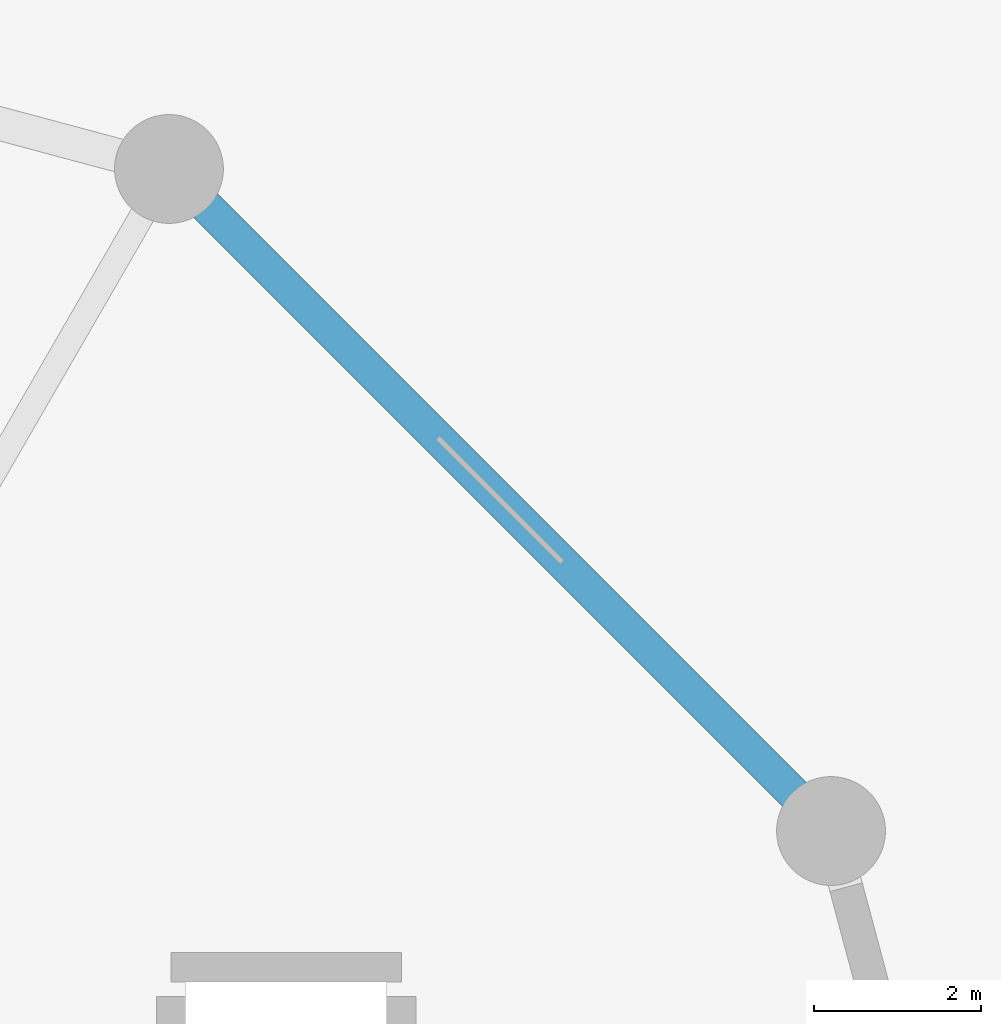
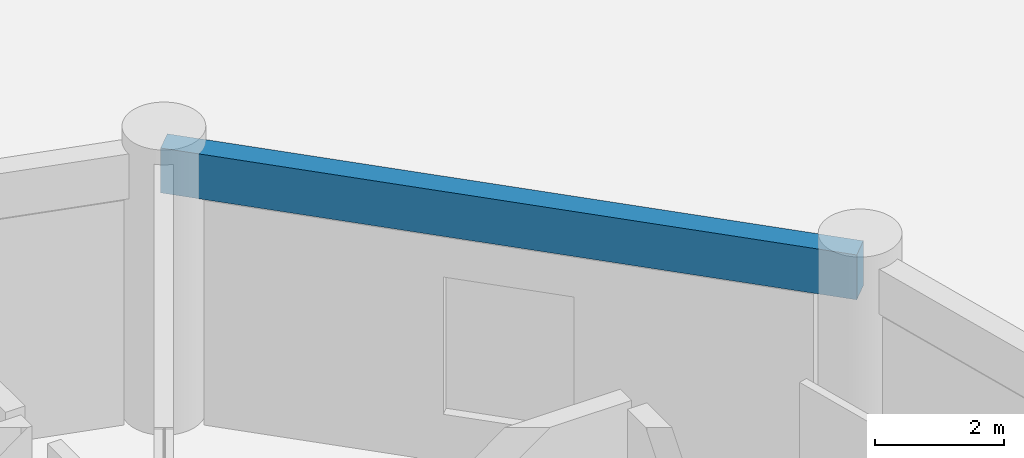
# One storey, part 60 of 140: 1 beam.
"""IFC4 building model written with IfcOpenShell, lengths in metres."""

from ifc_helpers import new_model, si_unit, direction, frame, origin, origin_2d, place, context, subcontext, project, spatial, rectangle, extrude, material, material_profile, profile_set, type_object, element, save


model = new_model("IFC4")

# Units and contexts
model_context = context("Model", 3, precision=1e-05, world=origin(), true_north=direction((0.0, 1.0)))
body_context = subcontext(model_context, "Body", "Model", "MODEL_VIEW")
ifc_project = project(units=[si_unit("LENGTHUNIT", "METRE"), si_unit("AREAUNIT", "SQUARE_METRE"), si_unit("VOLUMEUNIT", "CUBIC_METRE"), si_unit("PLANEANGLEUNIT", "RADIAN"), si_unit("MASSUNIT", "GRAM", prefix="KILO")], contexts=[model_context])

# Site, building, storey
site_placement = place(None, origin())
site = spatial("IfcSite", under=ifc_project, at=site_placement, CompositionType="ELEMENT")
building_placement = place(site_placement, origin())
building = spatial("IfcBuilding", under=site, at=building_placement, Name="Haizhuo Lancet Aquarium", CompositionType="ELEMENT")
storey_placement = place(building_placement, origin())
storey = spatial("IfcBuildingStorey", under=building, at=storey_placement, Name="L00", CompositionType="ELEMENT", Elevation=0.0)

# Beam
ifc_material = material(Name="Concrete C40/50", Category="concrete")
ifc_material_profile = material_profile(ifc_material, rectangle(XDim=0.39990234375, YDim=0.85009765625, at=origin_2d()), Name="RC-SP 400x850")
ifc_profile_set = profile_set([ifc_material_profile], Name="Concrete C40/50")
beam_type = type_object("IfcBeamType", Name="SPN-RC-400x850", PredefinedType="SPANDREL", material=ifc_profile_set)
beam_placement = place(storey_placement, frame((18.7060546875, 10.800048828125, 4.695068359375), z_axis=(-0.707106781187, 0.707106781187, 0.0), x_axis=(-0.707106781187, -0.707106781187, 0.0)))
element("IfcBeam", 1, at=beam_placement, inside=storey, type_object=beam_type, Name="L00 drum perimeter spandrel 2", PredefinedType="SPANDREL", context=body_context, shape_type="SweptSolid", body=[
    extrude(rectangle(XDim=0.39990234375, YDim=0.85009765625, at=origin_2d()), origin(), (0.0, 0.0, 1.0), 11.1806640625),
])

save(model, "model.ifc")
